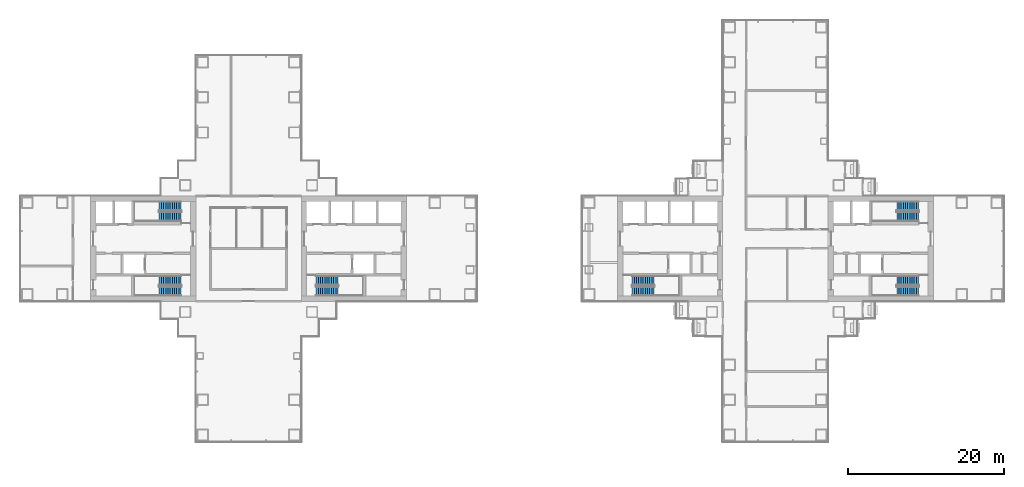
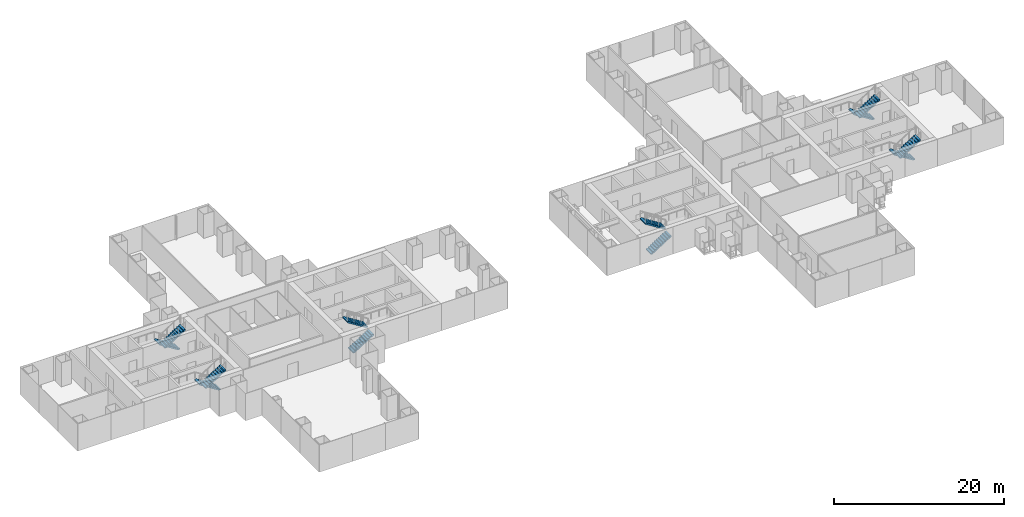
# One storey, part 19 of 22: 12 stair flights, 6 elements without a shape of their own.
"""IFC4 building model written with IfcOpenShell, lengths in metres."""

from ifc_helpers import new_model, si_unit, direction, frame, origin, place, context, subcontext, project, spatial, polyline, outline, extrude, material, type_object, element, aggregate, save


model = new_model("IFC4")

# Units and contexts
model_context = context("Model", 3, precision=1e-05, world=origin(), true_north=direction((0.0, 1.0)))
body_context = subcontext(model_context, "Body", "Model", "MODEL_VIEW")
ifc_project = project(units=[si_unit("LENGTHUNIT", "METRE"), si_unit("AREAUNIT", "SQUARE_METRE"), si_unit("VOLUMEUNIT", "CUBIC_METRE"), si_unit("PLANEANGLEUNIT", "RADIAN"), si_unit("MASSUNIT", "GRAM", prefix="KILO")], contexts=[model_context])

# Site, building, storey
site_placement = place(None, origin())
site = spatial("IfcSite", under=ifc_project, at=site_placement, CompositionType="ELEMENT")
building_placement = place(site_placement, origin())
building = spatial("IfcBuilding", under=site, at=building_placement, Name="Shamsa Quay Exchange Towers", CompositionType="ELEMENT")
storey_placement = place(building_placement, frame((0.0, 0.0, 73.199951171875)))
storey = spatial("IfcBuildingStorey", under=building, at=storey_placement, Name="L16", CompositionType="ELEMENT", Elevation=73.199951171875)

# Stair, stair flights
ifc_material = material(Name="Concrete C40/50", Category="concrete")
stair_type = type_object("IfcStairType", Name="EXIT STAIR 22 RISERS 177 MM", PredefinedType="HALF_TURN_STAIR", material=ifc_material)
stair_1_placement = place(storey_placement, origin())
stair_1 = element("IfcStair", 1, at=stair_1_placement, inside=storey, type_object=stair_type, Name="L16 Exit stair ST1", PredefinedType="HALF_TURN_STAIR")
stair_flight_type = type_object("IfcStairFlightType", Name="EXIT STAIR FLIGHT 11 RISERS 177 MM", PredefinedType="STRAIGHT", material=ifc_material)
stair_flight_1_placement = place(storey_placement, frame((-25.10009765625, -5.449951171875, 0.0)))
stair_flight_1 = element("IfcStairFlight", 2, at=stair_flight_1_placement, type_object=stair_flight_type, Name="ST1 flight 1", NumberOfRisers=11, NumberOfTreads=10, PredefinedType="STRAIGHT", RiserHeight=0.177272727, TreadLength=0.28, context=body_context, shape_type="SweptSolid", body=[
    extrude(outline(polyline([(0.0, 0.0), (0.0, 0.17724609375), (0.280029296875, 0.17724609375), (0.280029296875, 0.3544921875), (0.56005859375, 0.3544921875), (0.56005859375, 0.53173828125), (0.840087890625, 0.53173828125), (0.840087890625, 0.708984375), (1.1201171875, 0.708984375), (1.1201171875, 0.886474609375), (1.39990234375, 0.886474609375), (1.39990234375, 1.063720703125), (1.679931640625, 1.063720703125), (1.679931640625, 1.240966796875), (1.9599609375, 1.240966796875), (1.9599609375, 1.418212890625), (2.239990234375, 1.418212890625), (2.239990234375, 1.595458984375), (2.52001953125, 1.595458984375), (2.52001953125, 1.772705078125), (2.800048828125, 1.772705078125), (2.800048828125, 1.949951171875), (2.800048828125, 1.607177734375), (0.261474609375, 0.0), (0.0, 0.0)])), frame((0.0, 0.60009765625, 0.0), z_axis=(0.0, -1.0, 0.0), x_axis=(1.0, 0.0, 0.0)), (0.0, 0.0, 1.0), 1.199951171875),
])
stair_flight_2_placement = place(storey_placement, frame((-22.300048828125, -4.10009765625, 1.949951171875), z_axis=(0.0, 0.0, 1.0), x_axis=(-1.0, 0.0, 0.0)))
stair_flight_2 = element("IfcStairFlight", 3, at=stair_flight_2_placement, type_object=stair_flight_type, Name="ST1 flight 2", NumberOfRisers=11, NumberOfTreads=10, PredefinedType="STRAIGHT", RiserHeight=0.177272727, TreadLength=0.28, context=body_context, shape_type="SweptSolid", body=[
    extrude(outline(polyline([(0.0, 0.0), (0.0, 0.17724609375), (0.280029296875, 0.17724609375), (0.280029296875, 0.3544921875), (0.56005859375, 0.3544921875), (0.56005859375, 0.53173828125), (0.840087890625, 0.53173828125), (0.840087890625, 0.708984375), (1.1201171875, 0.708984375), (1.1201171875, 0.886474609375), (1.39990234375, 0.886474609375), (1.39990234375, 1.063720703125), (1.679931640625, 1.063720703125), (1.679931640625, 1.240966796875), (1.9599609375, 1.240966796875), (1.9599609375, 1.418212890625), (2.239990234375, 1.418212890625), (2.239990234375, 1.595458984375), (2.52001953125, 1.595458984375), (2.52001953125, 1.772705078125), (2.800048828125, 1.772705078125), (2.800048828125, 1.949951171875), (2.800048828125, 1.607177734375), (0.261474609375, 0.0), (0.0, 0.0)])), frame((0.0, 0.60009765625, 0.0), z_axis=(0.0, -1.0, 0.0), x_axis=(1.0, 0.0, 0.0)), (0.0, 0.0, 1.0), 1.199951171875),
])
aggregate(stair_1, [stair_flight_1, stair_flight_2])

stair_2_placement = place(storey_placement, origin())
stair_2 = element("IfcStair", 4, at=stair_2_placement, inside=storey, type_object=stair_type, Name="L16 Exit stair ST2", PredefinedType="HALF_TURN_STAIR")
stair_flight_3_placement = place(storey_placement, frame((-42.39990234375, -4.10009765625, 0.0), z_axis=(0.0, 0.0, 1.0), x_axis=(-1.0, 0.0, 0.0)))
stair_flight_3 = element("IfcStairFlight", 5, at=stair_flight_3_placement, type_object=stair_flight_type, Name="ST2 flight 1", NumberOfRisers=11, NumberOfTreads=10, PredefinedType="STRAIGHT", RiserHeight=0.177272727, TreadLength=0.28, context=body_context, shape_type="SweptSolid", body=[
    extrude(outline(polyline([(0.0, 0.0), (0.0, 0.17724609375), (0.280029296875, 0.17724609375), (0.280029296875, 0.3544921875), (0.56005859375, 0.3544921875), (0.56005859375, 0.53173828125), (0.840087890625, 0.53173828125), (0.840087890625, 0.708984375), (1.1201171875, 0.708984375), (1.1201171875, 0.886474609375), (1.39990234375, 0.886474609375), (1.39990234375, 1.063720703125), (1.679931640625, 1.063720703125), (1.679931640625, 1.240966796875), (1.9599609375, 1.240966796875), (1.9599609375, 1.418212890625), (2.239990234375, 1.418212890625), (2.239990234375, 1.595458984375), (2.52001953125, 1.595458984375), (2.52001953125, 1.772705078125), (2.800048828125, 1.772705078125), (2.800048828125, 1.949951171875), (2.800048828125, 1.607177734375), (0.261474609375, 0.0), (0.0, 0.0)])), frame((0.0, 0.60009765625, 0.0), z_axis=(0.0, -1.0, 0.0), x_axis=(1.0, 0.0, 0.0)), (0.0, 0.0, 1.0), 1.199951171875),
])
stair_flight_4_placement = place(storey_placement, frame((-45.199951171875, -5.449951171875, 1.949951171875)))
stair_flight_4 = element("IfcStairFlight", 6, at=stair_flight_4_placement, type_object=stair_flight_type, Name="ST2 flight 2", NumberOfRisers=11, NumberOfTreads=10, PredefinedType="STRAIGHT", RiserHeight=0.177272727, TreadLength=0.28, context=body_context, shape_type="SweptSolid", body=[
    extrude(outline(polyline([(0.0, 0.0), (0.0, 0.17724609375), (0.280029296875, 0.17724609375), (0.280029296875, 0.3544921875), (0.56005859375, 0.3544921875), (0.56005859375, 0.53173828125), (0.840087890625, 0.53173828125), (0.840087890625, 0.708984375), (1.1201171875, 0.708984375), (1.1201171875, 0.886474609375), (1.39990234375, 0.886474609375), (1.39990234375, 1.063720703125), (1.679931640625, 1.063720703125), (1.679931640625, 1.240966796875), (1.9599609375, 1.240966796875), (1.9599609375, 1.418212890625), (2.239990234375, 1.418212890625), (2.239990234375, 1.595458984375), (2.52001953125, 1.595458984375), (2.52001953125, 1.772705078125), (2.800048828125, 1.772705078125), (2.800048828125, 1.949951171875), (2.800048828125, 1.607177734375), (0.261474609375, 0.0), (0.0, 0.0)])), frame((0.0, 0.60009765625, 0.0), z_axis=(0.0, -1.0, 0.0), x_axis=(1.0, 0.0, 0.0)), (0.0, 0.0, 1.0), 1.199951171875),
])
aggregate(stair_2, [stair_flight_3, stair_flight_4])

stair_3_placement = place(storey_placement, origin())
stair_3 = element("IfcStair", 7, at=stair_3_placement, inside=storey, type_object=stair_type, Name="L16 Exit stair ST3", PredefinedType="HALF_TURN_STAIR")
stair_flight_5_placement = place(storey_placement, frame((-42.39990234375, 5.449951171875, 0.0), z_axis=(0.0, 0.0, 1.0), x_axis=(-1.0, 0.0, 0.0)))
stair_flight_5 = element("IfcStairFlight", 8, at=stair_flight_5_placement, type_object=stair_flight_type, Name="ST3 flight 1", NumberOfRisers=11, NumberOfTreads=10, PredefinedType="STRAIGHT", RiserHeight=0.177272727, TreadLength=0.28, context=body_context, shape_type="SweptSolid", body=[
    extrude(outline(polyline([(0.0, 0.0), (0.0, 0.17724609375), (0.280029296875, 0.17724609375), (0.280029296875, 0.3544921875), (0.56005859375, 0.3544921875), (0.56005859375, 0.53173828125), (0.840087890625, 0.53173828125), (0.840087890625, 0.708984375), (1.1201171875, 0.708984375), (1.1201171875, 0.886474609375), (1.39990234375, 0.886474609375), (1.39990234375, 1.063720703125), (1.679931640625, 1.063720703125), (1.679931640625, 1.240966796875), (1.9599609375, 1.240966796875), (1.9599609375, 1.418212890625), (2.239990234375, 1.418212890625), (2.239990234375, 1.595458984375), (2.52001953125, 1.595458984375), (2.52001953125, 1.772705078125), (2.800048828125, 1.772705078125), (2.800048828125, 1.949951171875), (2.800048828125, 1.607177734375), (0.261474609375, 0.0), (0.0, 0.0)])), frame((0.0, 0.60009765625, 0.0), z_axis=(0.0, -1.0, 0.0), x_axis=(1.0, 0.0, 0.0)), (0.0, 0.0, 1.0), 1.199951171875),
])
stair_flight_6_placement = place(storey_placement, frame((-45.199951171875, 4.10009765625, 1.949951171875)))
stair_flight_6 = element("IfcStairFlight", 9, at=stair_flight_6_placement, type_object=stair_flight_type, Name="ST3 flight 2", NumberOfRisers=11, NumberOfTreads=10, PredefinedType="STRAIGHT", RiserHeight=0.177272727, TreadLength=0.28, context=body_context, shape_type="SweptSolid", body=[
    extrude(outline(polyline([(0.0, 0.0), (0.0, 0.17724609375), (0.280029296875, 0.17724609375), (0.280029296875, 0.3544921875), (0.56005859375, 0.3544921875), (0.56005859375, 0.53173828125), (0.840087890625, 0.53173828125), (0.840087890625, 0.708984375), (1.1201171875, 0.708984375), (1.1201171875, 0.886474609375), (1.39990234375, 0.886474609375), (1.39990234375, 1.063720703125), (1.679931640625, 1.063720703125), (1.679931640625, 1.240966796875), (1.9599609375, 1.240966796875), (1.9599609375, 1.418212890625), (2.239990234375, 1.418212890625), (2.239990234375, 1.595458984375), (2.52001953125, 1.595458984375), (2.52001953125, 1.772705078125), (2.800048828125, 1.772705078125), (2.800048828125, 1.949951171875), (2.800048828125, 1.607177734375), (0.261474609375, 0.0), (0.0, 0.0)])), frame((0.0, 0.60009765625, 0.0), z_axis=(0.0, -1.0, 0.0), x_axis=(1.0, 0.0, 0.0)), (0.0, 0.0, 1.0), 1.199951171875),
])
aggregate(stair_3, [stair_flight_5, stair_flight_6])

stair_4_placement = place(storey_placement, origin())
stair_4 = element("IfcStair", 10, at=stair_4_placement, inside=storey, type_object=stair_type, Name="L16 Exit stair ST4", PredefinedType="HALF_TURN_STAIR")
stair_flight_7_placement = place(storey_placement, frame((15.39990234375, -5.449951171875, 0.0)))
stair_flight_7 = element("IfcStairFlight", 11, at=stair_flight_7_placement, type_object=stair_flight_type, Name="ST4 flight 1", NumberOfRisers=11, NumberOfTreads=10, PredefinedType="STRAIGHT", RiserHeight=0.177272727, TreadLength=0.28, context=body_context, shape_type="SweptSolid", body=[
    extrude(outline(polyline([(0.0, 0.0), (0.0, 0.17724609375), (0.280029296875, 0.17724609375), (0.280029296875, 0.3544921875), (0.56005859375, 0.3544921875), (0.56005859375, 0.53173828125), (0.840087890625, 0.53173828125), (0.840087890625, 0.708984375), (1.1201171875, 0.708984375), (1.1201171875, 0.886474609375), (1.39990234375, 0.886474609375), (1.39990234375, 1.063720703125), (1.679931640625, 1.063720703125), (1.679931640625, 1.240966796875), (1.9599609375, 1.240966796875), (1.9599609375, 1.418212890625), (2.239990234375, 1.418212890625), (2.239990234375, 1.595458984375), (2.52001953125, 1.595458984375), (2.52001953125, 1.772705078125), (2.800048828125, 1.772705078125), (2.800048828125, 1.949951171875), (2.800048828125, 1.607177734375), (0.261474609375, 0.0), (0.0, 0.0)])), frame((0.0, 0.60009765625, 0.0), z_axis=(0.0, -1.0, 0.0), x_axis=(1.0, 0.0, 0.0)), (0.0, 0.0, 1.0), 1.199951171875),
])
stair_flight_8_placement = place(storey_placement, frame((18.199951171875, -4.10009765625, 1.949951171875), z_axis=(0.0, 0.0, 1.0), x_axis=(-1.0, 0.0, 0.0)))
stair_flight_8 = element("IfcStairFlight", 12, at=stair_flight_8_placement, type_object=stair_flight_type, Name="ST4 flight 2", NumberOfRisers=11, NumberOfTreads=10, PredefinedType="STRAIGHT", RiserHeight=0.177272727, TreadLength=0.28, context=body_context, shape_type="SweptSolid", body=[
    extrude(outline(polyline([(0.0, 0.0), (0.0, 0.17724609375), (0.280029296875, 0.17724609375), (0.280029296875, 0.3544921875), (0.56005859375, 0.3544921875), (0.56005859375, 0.53173828125), (0.840087890625, 0.53173828125), (0.840087890625, 0.708984375), (1.1201171875, 0.708984375), (1.1201171875, 0.886474609375), (1.39990234375, 0.886474609375), (1.39990234375, 1.063720703125), (1.679931640625, 1.063720703125), (1.679931640625, 1.240966796875), (1.9599609375, 1.240966796875), (1.9599609375, 1.418212890625), (2.239990234375, 1.418212890625), (2.239990234375, 1.595458984375), (2.52001953125, 1.595458984375), (2.52001953125, 1.772705078125), (2.800048828125, 1.772705078125), (2.800048828125, 1.949951171875), (2.800048828125, 1.607177734375), (0.261474609375, 0.0), (0.0, 0.0)])), frame((0.0, 0.60009765625, 0.0), z_axis=(0.0, -1.0, 0.0), x_axis=(1.0, 0.0, 0.0)), (0.0, 0.0, 1.0), 1.199951171875),
])
aggregate(stair_4, [stair_flight_7, stair_flight_8])

stair_5_placement = place(storey_placement, origin())
stair_5 = element("IfcStair", 13, at=stair_5_placement, inside=storey, type_object=stair_type, Name="L16 Exit stair ST5", PredefinedType="HALF_TURN_STAIR")
stair_flight_9_placement = place(storey_placement, frame((52.10009765625, -4.10009765625, 0.0), z_axis=(0.0, 0.0, 1.0), x_axis=(-1.0, 0.0, 0.0)))
stair_flight_9 = element("IfcStairFlight", 14, at=stair_flight_9_placement, type_object=stair_flight_type, Name="ST5 flight 1", NumberOfRisers=11, NumberOfTreads=10, PredefinedType="STRAIGHT", RiserHeight=0.177272727, TreadLength=0.28, context=body_context, shape_type="SweptSolid", body=[
    extrude(outline(polyline([(0.0, 0.0), (0.0, 0.17724609375), (0.280029296875, 0.17724609375), (0.280029296875, 0.3544921875), (0.56005859375, 0.3544921875), (0.56005859375, 0.53173828125), (0.840087890625, 0.53173828125), (0.840087890625, 0.708984375), (1.1201171875, 0.708984375), (1.1201171875, 0.886474609375), (1.39990234375, 0.886474609375), (1.39990234375, 1.063720703125), (1.679931640625, 1.063720703125), (1.679931640625, 1.240966796875), (1.9599609375, 1.240966796875), (1.9599609375, 1.418212890625), (2.239990234375, 1.418212890625), (2.239990234375, 1.595458984375), (2.52001953125, 1.595458984375), (2.52001953125, 1.772705078125), (2.800048828125, 1.772705078125), (2.800048828125, 1.949951171875), (2.800048828125, 1.607177734375), (0.261474609375, 0.0), (0.0, 0.0)])), frame((0.0, 0.60009765625, 0.0), z_axis=(0.0, -1.0, 0.0), x_axis=(1.0, 0.0, 0.0)), (0.0, 0.0, 1.0), 1.199951171875),
])
stair_flight_10_placement = place(storey_placement, frame((49.300048828125, -5.449951171875, 1.949951171875)))
stair_flight_10 = element("IfcStairFlight", 15, at=stair_flight_10_placement, type_object=stair_flight_type, Name="ST5 flight 2", NumberOfRisers=11, NumberOfTreads=10, PredefinedType="STRAIGHT", RiserHeight=0.177272727, TreadLength=0.28, context=body_context, shape_type="SweptSolid", body=[
    extrude(outline(polyline([(0.0, 0.0), (0.0, 0.17724609375), (0.280029296875, 0.17724609375), (0.280029296875, 0.3544921875), (0.56005859375, 0.3544921875), (0.56005859375, 0.53173828125), (0.840087890625, 0.53173828125), (0.840087890625, 0.708984375), (1.1201171875, 0.708984375), (1.1201171875, 0.886474609375), (1.39990234375, 0.886474609375), (1.39990234375, 1.063720703125), (1.679931640625, 1.063720703125), (1.679931640625, 1.240966796875), (1.9599609375, 1.240966796875), (1.9599609375, 1.418212890625), (2.239990234375, 1.418212890625), (2.239990234375, 1.595458984375), (2.52001953125, 1.595458984375), (2.52001953125, 1.772705078125), (2.800048828125, 1.772705078125), (2.800048828125, 1.949951171875), (2.800048828125, 1.607177734375), (0.261474609375, 0.0), (0.0, 0.0)])), frame((0.0, 0.60009765625, 0.0), z_axis=(0.0, -1.0, 0.0), x_axis=(1.0, 0.0, 0.0)), (0.0, 0.0, 1.0), 1.199951171875),
])
aggregate(stair_5, [stair_flight_9, stair_flight_10])

stair_6_placement = place(storey_placement, origin())
stair_6 = element("IfcStair", 16, at=stair_6_placement, inside=storey, type_object=stair_type, Name="L16 Exit stair ST6", PredefinedType="HALF_TURN_STAIR")
stair_flight_11_placement = place(storey_placement, frame((52.10009765625, 5.449951171875, 0.0), z_axis=(0.0, 0.0, 1.0), x_axis=(-1.0, 0.0, 0.0)))
stair_flight_11 = element("IfcStairFlight", 17, at=stair_flight_11_placement, type_object=stair_flight_type, Name="ST6 flight 1", NumberOfRisers=11, NumberOfTreads=10, PredefinedType="STRAIGHT", RiserHeight=0.177272727, TreadLength=0.28, context=body_context, shape_type="SweptSolid", body=[
    extrude(outline(polyline([(0.0, 0.0), (0.0, 0.17724609375), (0.280029296875, 0.17724609375), (0.280029296875, 0.3544921875), (0.56005859375, 0.3544921875), (0.56005859375, 0.53173828125), (0.840087890625, 0.53173828125), (0.840087890625, 0.708984375), (1.1201171875, 0.708984375), (1.1201171875, 0.886474609375), (1.39990234375, 0.886474609375), (1.39990234375, 1.063720703125), (1.679931640625, 1.063720703125), (1.679931640625, 1.240966796875), (1.9599609375, 1.240966796875), (1.9599609375, 1.418212890625), (2.239990234375, 1.418212890625), (2.239990234375, 1.595458984375), (2.52001953125, 1.595458984375), (2.52001953125, 1.772705078125), (2.800048828125, 1.772705078125), (2.800048828125, 1.949951171875), (2.800048828125, 1.607177734375), (0.261474609375, 0.0), (0.0, 0.0)])), frame((0.0, 0.60009765625, 0.0), z_axis=(0.0, -1.0, 0.0), x_axis=(1.0, 0.0, 0.0)), (0.0, 0.0, 1.0), 1.199951171875),
])
stair_flight_12_placement = place(storey_placement, frame((49.300048828125, 4.10009765625, 1.949951171875)))
stair_flight_12 = element("IfcStairFlight", 18, at=stair_flight_12_placement, type_object=stair_flight_type, Name="ST6 flight 2", NumberOfRisers=11, NumberOfTreads=10, PredefinedType="STRAIGHT", RiserHeight=0.177272727, TreadLength=0.28, context=body_context, shape_type="SweptSolid", body=[
    extrude(outline(polyline([(0.0, 0.0), (0.0, 0.17724609375), (0.280029296875, 0.17724609375), (0.280029296875, 0.3544921875), (0.56005859375, 0.3544921875), (0.56005859375, 0.53173828125), (0.840087890625, 0.53173828125), (0.840087890625, 0.708984375), (1.1201171875, 0.708984375), (1.1201171875, 0.886474609375), (1.39990234375, 0.886474609375), (1.39990234375, 1.063720703125), (1.679931640625, 1.063720703125), (1.679931640625, 1.240966796875), (1.9599609375, 1.240966796875), (1.9599609375, 1.418212890625), (2.239990234375, 1.418212890625), (2.239990234375, 1.595458984375), (2.52001953125, 1.595458984375), (2.52001953125, 1.772705078125), (2.800048828125, 1.772705078125), (2.800048828125, 1.949951171875), (2.800048828125, 1.607177734375), (0.261474609375, 0.0), (0.0, 0.0)])), frame((0.0, 0.60009765625, 0.0), z_axis=(0.0, -1.0, 0.0), x_axis=(1.0, 0.0, 0.0)), (0.0, 0.0, 1.0), 1.199951171875),
])
aggregate(stair_6, [stair_flight_11, stair_flight_12])

save(model, "model.ifc")
